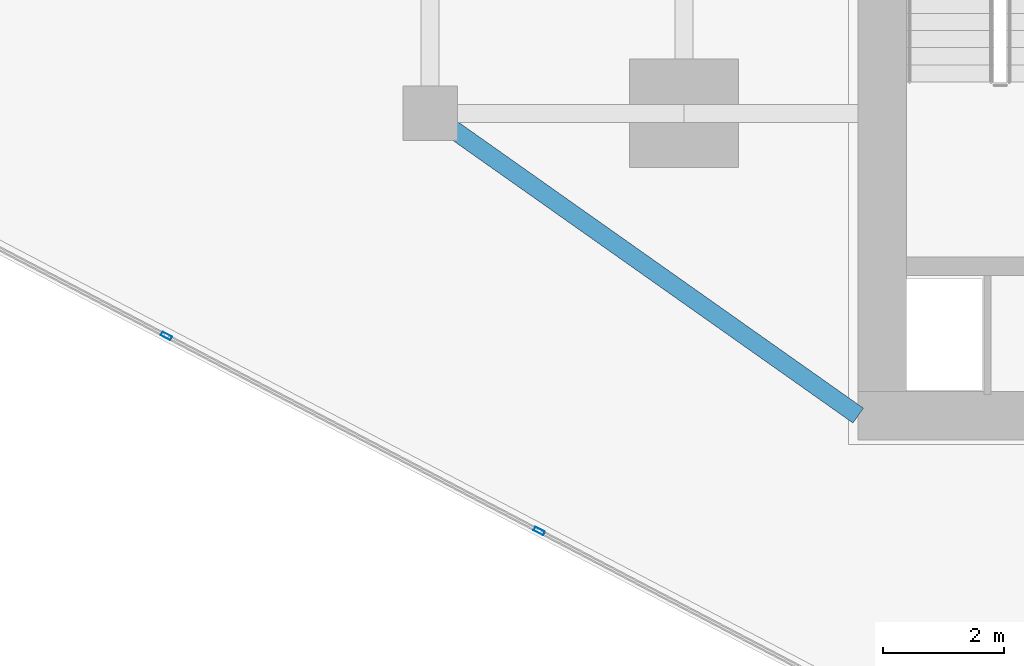
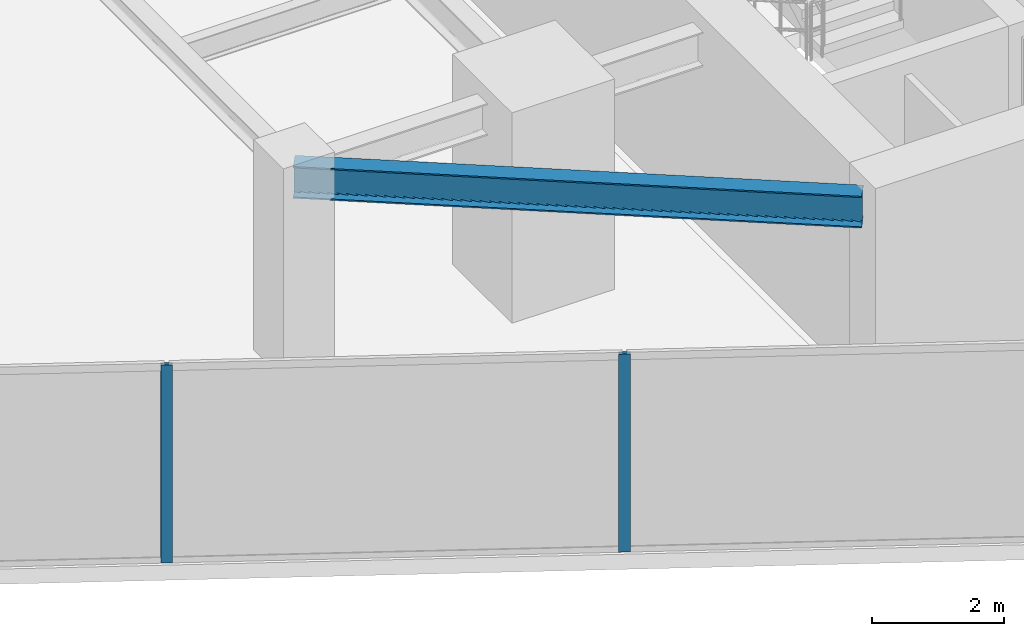
# One storey, part 2 of 27: 2 members, 1 beam, 1 element without a shape of its own.
"""IFC4 building model written with IfcOpenShell, lengths in metres."""

from ifc_helpers import new_model, si_unit, direction, frame, origin, origin_2d, place, context, subcontext, project, spatial, hollow_rectangle, i_section, extrude, source, transform, mapped, material, material_profile, profile_set, type_object, type_shapes, element, aggregate, save


model = new_model("IFC4")

# Units and contexts
model_context = context("Model", 3, precision=1e-05, world=origin(), true_north=direction((0.0, 1.0)))
body_context = subcontext(model_context, "Body", "Model", "MODEL_VIEW")
ifc_project = project(units=[si_unit("LENGTHUNIT", "METRE"), si_unit("AREAUNIT", "SQUARE_METRE"), si_unit("VOLUMEUNIT", "CUBIC_METRE"), si_unit("PLANEANGLEUNIT", "RADIAN"), si_unit("MASSUNIT", "GRAM", prefix="KILO")], contexts=[model_context])

# Site, building, storey
site_placement = place(None, origin())
site = spatial("IfcSite", under=ifc_project, at=site_placement, CompositionType="ELEMENT")
building_placement = place(site_placement, origin())
building = spatial("IfcBuilding", under=site, at=building_placement, Name="Krantzveldt Concourse Tower", CompositionType="ELEMENT")
storey_placement = place(building_placement, frame((0.0, 0.0, 150.14990234375)))
storey = spatial("IfcBuildingStorey", under=building, at=storey_placement, Name="L36", CompositionType="ELEMENT", Elevation=150.14990234375)

# Beam
ifc_material_1 = material(Name="Steel S355JR", Category="steel")
ifc_material_profile_1 = material_profile(ifc_material_1, i_section(OverallWidth=0.300048828125, OverallDepth=0.590087890625, WebThickness=0.012939453125, FlangeThickness=0.02490234375, FilletRadius=0.027099609375, at=origin_2d()), Name="Steel S355JR", Category="steel")
ifc_profile_set_1 = profile_set([ifc_material_profile_1], Name="Steel S355JR - HEA 600")
beam_type = type_object("IfcBeamType", Name="BM-B-HEA600", PredefinedType="BEAM", material=ifc_profile_set_1)
shared_shape_1 = source(origin(), body_context, "Body", "SweptSolid", [
    extrude(i_section(OverallWidth=0.300048828125, OverallDepth=0.590087890625, WebThickness=0.012939453125, FlangeThickness=0.02490234375, FilletRadius=0.027099609375, at=origin_2d()), origin(), (0.0, 0.0, 1.0), 8.667724609375),
])
type_shapes(beam_type, [shared_shape_1])
beam_placement = place(storey_placement, frame((21.0, 15.89990234375, 3.375), z_axis=(0.81684294656, -0.576860122261, 0.0), x_axis=(0.576860122261, 0.81684294656, 0.0)))
element("IfcBeam", 1, at=beam_placement, inside=storey, type_object=beam_type, Name="L36 Tower Girder BR-CSW", PredefinedType="BEAM", context=body_context, shape_type="MappedRepresentation", body=[
    mapped(shared_shape_1, transform((0.0, 0.0, 0.0), x_axis=(1.0, 0.0, 0.0), y_axis=(0.0, 1.0, 0.0), z_axis=(0.0, 0.0, 1.0), scale=1.0)),
])

# Curtain wall, members
ifc_material_2 = material(Name="Anodised aluminium 6063-T6", Category="aluminium")
curtain_wall_type = type_object("IfcCurtainWallType", Name="CW3", PredefinedType="USERDEFINED", material=ifc_material_2)
curtain_wall_placement = place(storey_placement, origin())
curtain_wall = element("IfcCurtainWall", 2, at=curtain_wall_placement, inside=storey, type_object=curtain_wall_type, Name="CW-L36-F04", ObjectType="UNITISED CURTAIN WALL", PredefinedType="USERDEFINED")
ifc_material_profile_2 = material_profile(ifc_material_2, hollow_rectangle(XDim=0.070068359375, YDim=0.179931640625, WallThickness=0.0048828125, at=origin_2d()), Name="Anodised aluminium 6063-T6", Category="aluminium")
ifc_profile_set_2 = profile_set([ifc_material_profile_2], Name="Anodised aluminium 6063-T6 - ALU-MULL 180x70x5")
member_type = type_object("IfcMemberType", Name="CW-MUL-180", PredefinedType="MULLION", material=ifc_profile_set_2)
shared_shape_2 = source(origin(), body_context, "Body", "SweptSolid", [
    extrude(hollow_rectangle(XDim=0.070068359375, YDim=0.179931640625, WallThickness=0.0048828125, at=origin_2d()), origin(), (0.0, 0.0, 1.0), 3.670166015625),
])
type_shapes(member_type, [shared_shape_2])
member_1_placement = place(storey_placement, frame((16.63720703125, 12.217041015625, 0.0), z_axis=(0.0, 0.0, 1.0), x_axis=(0.463682819502, 0.886001265743, 0.0)))
member_1 = element("IfcMember", 3, at=member_1_placement, type_object=member_type, Name="CW-Z34 mullion 2", PredefinedType="MULLION", context=body_context, shape_type="MappedRepresentation", body=[
    mapped(shared_shape_2, transform((0.0, 0.0, 0.0), x_axis=(1.0, 0.0, 0.0), y_axis=(0.0, 1.0, 0.0), z_axis=(0.0, 0.0, 1.0), scale=1.0)),
])
member_2_placement = place(storey_placement, frame((22.8037109375, 8.989990234375, 0.0), z_axis=(0.0, 0.0, 1.0), x_axis=(0.463682819502, 0.886001265743, 0.0)))
member_2 = element("IfcMember", 4, at=member_2_placement, type_object=member_type, Name="CW-Z34 mullion 3", PredefinedType="MULLION", context=body_context, shape_type="MappedRepresentation", body=[
    mapped(shared_shape_2, transform((0.0, 0.0, 0.0), x_axis=(1.0, 0.0, 0.0), y_axis=(0.0, 1.0, 0.0), z_axis=(0.0, 0.0, 1.0), scale=1.0)),
])
aggregate(curtain_wall, [member_1, member_2])

save(model, "model.ifc")
